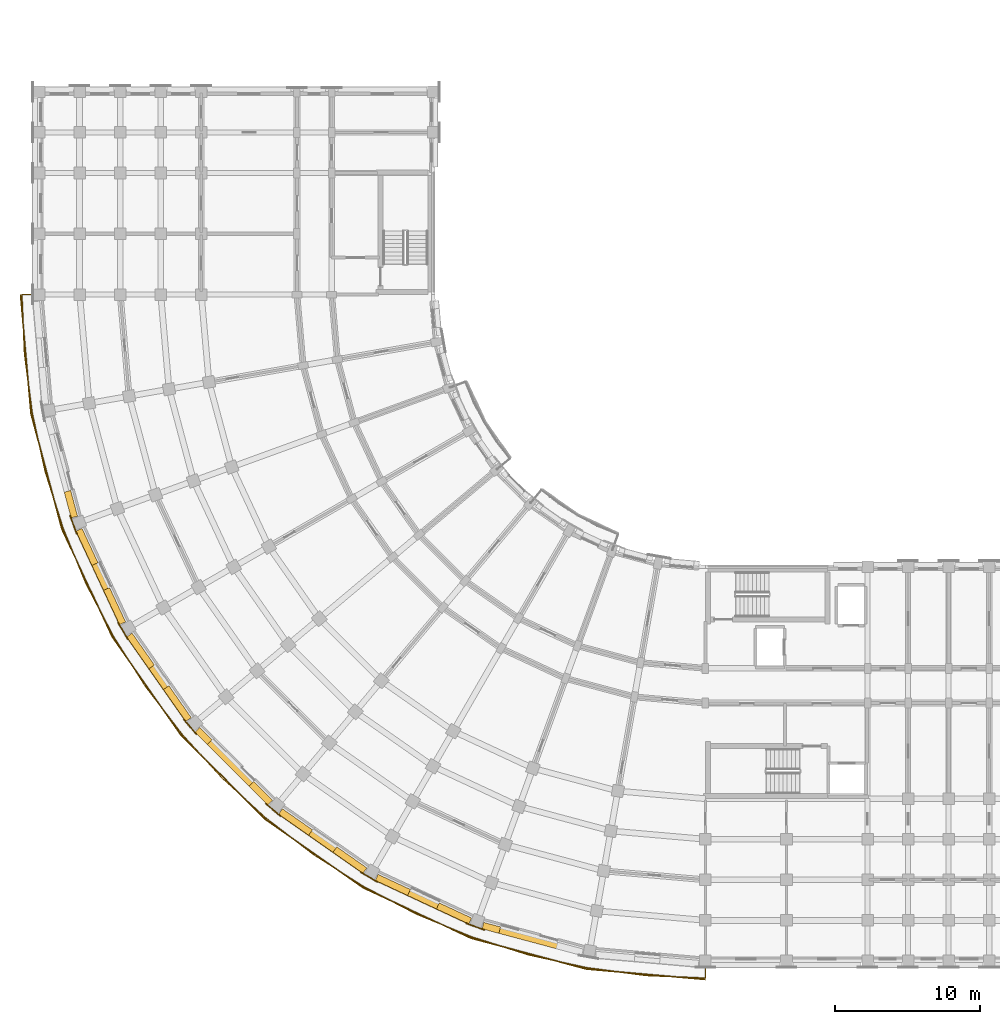
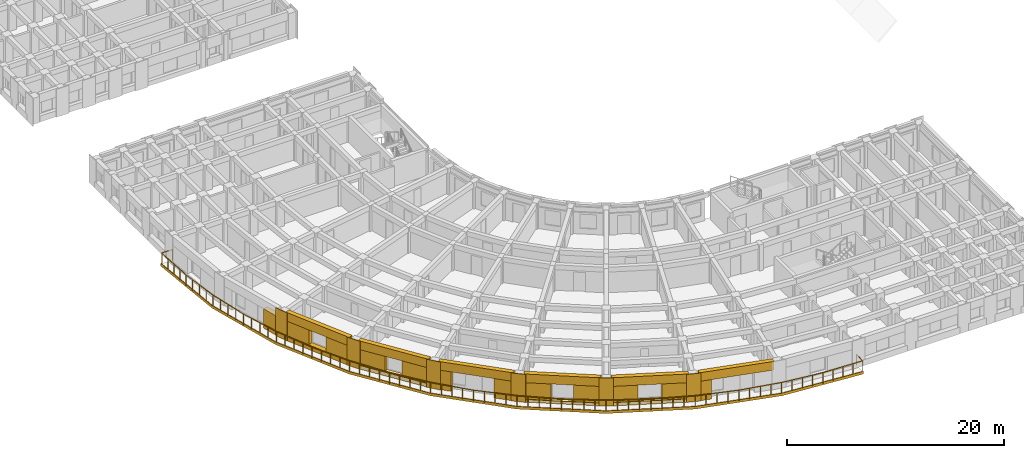
# One storey, part 38 of 54: 29 coverings, 1 railing.
"""IFC4 building model written with IfcOpenShell, lengths in metres."""

from ifc_helpers import new_model, si_unit, direction, frame, origin, origin_2d, place, context, subcontext, project, spatial, polyline, circle, outline, extrude, material, layer, layer_set, type_object, element, save


model = new_model("IFC4")

# Units and contexts
model_context = context("Model", 3, precision=1e-05, world=origin(), true_north=direction((0.0, 1.0)))
body_context = subcontext(model_context, "Body", "Model", "MODEL_VIEW")
ifc_project = project(units=[si_unit("LENGTHUNIT", "METRE"), si_unit("AREAUNIT", "SQUARE_METRE"), si_unit("VOLUMEUNIT", "CUBIC_METRE"), si_unit("PLANEANGLEUNIT", "RADIAN"), si_unit("MASSUNIT", "GRAM", prefix="KILO")], contexts=[model_context])

# Site, building, storey
site_placement = place(None, origin())
site = spatial("IfcSite", under=ifc_project, at=site_placement, CompositionType="ELEMENT")
building_placement = place(site_placement, origin())
building = spatial("IfcBuilding", under=site, at=building_placement, Name="Kiranvali Square Residences", CompositionType="ELEMENT")
storey_placement = place(building_placement, frame((0.0, 0.0, 11.85009765625)))
storey = spatial("IfcBuildingStorey", under=building, at=storey_placement, Name="L03", CompositionType="ELEMENT", Elevation=11.85009765625)

# Coverings
ifc_material_1 = material(Name="Carved Porbandar limestone classical entablature and cornice", Category="masonry")
ifc_layer_1 = layer(ifc_material_1, 0.072021484375)
ifc_layer_set_1 = layer_set([ifc_layer_1], Name="Carved Porbandar limestone classical entablature and cornice")
covering_type_1 = type_object("IfcCoveringType", Name="COV-CLAD-BAL", PredefinedType="CLADDING", material=ifc_layer_set_1)
covering_1_placement = place(storey_placement, frame((0.0, 0.0, -0.239990234375)))
element("IfcCovering", 1, at=covering_1_placement, inside=storey, type_object=covering_type_1, Name="Block C L03 continuous curved limestone balcony fascia", PredefinedType="CLADDING", context=body_context, shape_type="SweptSolid", body=[
    extrude(outline(polyline([(48.199951171875, 0.947998046875), (39.994873046875, 1.665771484375), (32.038818359375, 3.797607421875), (24.573974609375, 7.278564453125), (17.826904296875, 12.0029296875), (12.0029296875, 17.826904296875), (7.278564453125, 24.573974609375), (3.797607421875, 32.038818359375), (1.665771484375, 39.994873046875), (0.947998046875, 48.199951171875), (0.882080078125, 48.199951171875), (1.600830078125, 39.9833984375), (3.735595703125, 32.016357421875), (7.221435546875, 24.541015625), (11.952392578125, 17.78466796875), (17.78466796875, 11.952392578125), (24.541015625, 7.221435546875), (32.016357421875, 3.735595703125), (39.9833984375, 1.600830078125), (48.199951171875, 0.882080078125), (48.199951171875, 0.947998046875)])), origin(), (0.0, 0.0, 1.0), 0.2998046875),
])
ifc_material_2 = material(Name="Honed Porbandar limestone ashlar facade cladding", Category="masonry")
ifc_layer_2 = layer(ifc_material_2, 0.3798828125)
ifc_layer_set_2 = layer_set([ifc_layer_2], Name="Honed Porbandar limestone ashlar facade cladding")
covering_type_2 = type_object("IfcCoveringType", Name="COV-CLAD-JAMB", PredefinedType="CLADDING", material=ifc_layer_set_2)
covering_2_placement = place(storey_placement, origin())
element("IfcCovering", 2, at=covering_2_placement, inside=storey, type_object=covering_type_2, Name="L03 deep limestone window jamb reveal C-L03-CRV-01.R", PredefinedType="CLADDING", context=body_context, shape_type="SweptSolid", body=[
    extrude(outline(polyline([(34.0615234375, 4.54638671875), (32.901611328125, 4.857177734375), (32.78271484375, 4.413330078125), (33.942626953125, 4.1025390625), (34.0615234375, 4.54638671875)])), origin(), (0.0, 0.0, 1.0), 2.179931640625),
])
covering_3_placement = place(storey_placement, frame((0.0, 0.0, 0.371826171875)))
element("IfcCovering", 3, at=covering_3_placement, inside=storey, type_object=covering_type_2, Name="L03 deep limestone window jamb reveal C-L03-CRV-02.L", PredefinedType="CLADDING", context=body_context, shape_type="SweptSolid", body=[
    extrude(outline(polyline([(32.05908203125, 5.163818359375), (29.830322265625, 6.203125), (29.635986328125, 5.78662109375), (31.86474609375, 4.747314453125), (32.05908203125, 5.163818359375)])), origin(), (0.0, 0.0, 1.0), 1.800048828125),
])
covering_4_placement = place(storey_placement, frame((0.0, 0.0, 0.371826171875)))
element("IfcCovering", 4, at=covering_4_placement, inside=storey, type_object=covering_type_2, Name="L03 deep limestone window jamb reveal C-L03-CRV-02.R", PredefinedType="CLADDING", context=body_context, shape_type="SweptSolid", body=[
    extrude(outline(polyline([(27.83642578125, 7.1328125), (25.607666015625, 8.172119140625), (25.413330078125, 7.755859375), (27.64208984375, 6.716552734375), (27.83642578125, 7.1328125)])), origin(), (0.0, 0.0, 1.0), 1.800048828125),
])
covering_5_placement = place(storey_placement, frame((0.0, 0.0, 0.322021484375)))
element("IfcCovering", 5, at=covering_5_placement, inside=storey, type_object=covering_type_2, Name="L03 deep limestone window jamb reveal C-L03-CRV-03.L", PredefinedType="CLADDING", context=body_context, shape_type="SweptSolid", body=[
    extrude(outline(polyline([(24.8310546875, 8.62060546875), (22.755126953125, 10.073974609375), (22.49169921875, 9.69775390625), (24.567626953125, 8.244140625), (24.8310546875, 8.62060546875)])), origin(), (0.0, 0.0, 1.0), 1.849853515625),
])
covering_6_placement = place(storey_placement, frame((0.0, 0.0, 0.322021484375)))
element("IfcCovering", 6, at=covering_6_placement, inside=storey, type_object=covering_type_2, Name="L03 deep limestone window jamb reveal C-L03-CRV-03.R", PredefinedType="CLADDING", context=body_context, shape_type="SweptSolid", body=[
    extrude(outline(polyline([(21.075927734375, 11.25), (19.0, 12.703369140625), (18.736572265625, 12.3271484375), (20.8125, 10.87353515625), (21.075927734375, 11.25)])), origin(), (0.0, 0.0, 1.0), 1.849853515625),
])
covering_7_placement = place(storey_placement, origin())
element("IfcCovering", 7, at=covering_7_placement, inside=storey, type_object=covering_type_2, Name="L03 deep limestone window jamb reveal C-L03-CRV-04.L", PredefinedType="CLADDING", context=body_context, shape_type="SweptSolid", body=[
    extrude(outline(polyline([(18.313232421875, 13.27978515625), (17.01123046875, 14.581787109375), (16.686279296875, 14.257080078125), (17.98828125, 12.954833984375), (18.313232421875, 13.27978515625)])), origin(), (0.0, 0.0, 1.0), 2.179931640625),
])
covering_8_placement = place(storey_placement, origin())
element("IfcCovering", 8, at=covering_8_placement, inside=storey, type_object=covering_type_2, Name="L03 deep limestone window jamb reveal C-L03-CRV-04.R", PredefinedType="CLADDING", context=body_context, shape_type="SweptSolid", body=[
    extrude(outline(polyline([(14.12890625, 17.464111328125), (13.27978515625, 18.313232421875), (12.954833984375, 17.98828125), (13.803955078125, 17.13916015625), (14.12890625, 17.464111328125)])), origin(), (0.0, 0.0, 1.0), 2.179931640625),
])
covering_9_placement = place(storey_placement, frame((0.0, 0.0, 0.421875)))
element("IfcCovering", 9, at=covering_9_placement, inside=storey, type_object=covering_type_2, Name="L03 deep limestone window jamb reveal C-L03-CRV-05.L", PredefinedType="CLADDING", context=body_context, shape_type="SweptSolid", body=[
    extrude(outline(polyline([(12.703369140625, 19.0), (11.163818359375, 21.19873046875), (10.787353515625, 20.935302734375), (12.3271484375, 18.736572265625), (12.703369140625, 19.0)])), origin(), (0.0, 0.0, 1.0), 1.75),
])
covering_10_placement = place(storey_placement, frame((0.0, 0.0, 0.421875)))
element("IfcCovering", 10, at=covering_10_placement, inside=storey, type_object=covering_type_2, Name="L03 deep limestone window jamb reveal C-L03-CRV-05.R", PredefinedType="CLADDING", context=body_context, shape_type="SweptSolid", body=[
    extrude(outline(polyline([(10.16015625, 22.63232421875), (8.62060546875, 24.8310546875), (8.244140625, 24.567626953125), (9.78369140625, 22.368896484375), (10.16015625, 22.63232421875)])), origin(), (0.0, 0.0, 1.0), 1.75),
])
covering_11_placement = place(storey_placement, frame((0.0, 0.0, 0.52197265625)))
element("IfcCovering", 11, at=covering_11_placement, inside=storey, type_object=covering_type_2, Name="L03 deep limestone window jamb reveal C-L03-CRV-06.L", PredefinedType="CLADDING", context=body_context, shape_type="SweptSolid", body=[
    extrude(outline(polyline([(8.172119140625, 25.607666015625), (7.069580078125, 27.972412109375), (6.653076171875, 27.778076171875), (7.755859375, 25.413330078125), (8.172119140625, 25.607666015625)])), origin(), (0.0, 0.0, 1.0), 1.64990234375),
])
covering_12_placement = place(storey_placement, frame((0.0, 0.0, 0.52197265625)))
element("IfcCovering", 12, at=covering_12_placement, inside=storey, type_object=covering_type_2, Name="L03 deep limestone window jamb reveal C-L03-CRV-06.R", PredefinedType="CLADDING", context=body_context, shape_type="SweptSolid", body=[
    extrude(outline(polyline([(6.2666015625, 29.6943359375), (5.163818359375, 32.05908203125), (4.747314453125, 31.86474609375), (5.85009765625, 29.5), (6.2666015625, 29.6943359375)])), origin(), (0.0, 0.0, 1.0), 1.64990234375),
])
covering_13_placement = place(storey_placement, origin())
element("IfcCovering", 13, at=covering_13_placement, inside=storey, type_object=covering_type_2, Name="L03 deep limestone window jamb reveal C-L03-CRV-07.L", PredefinedType="CLADDING", context=body_context, shape_type="SweptSolid", body=[
    extrude(outline(polyline([(4.857177734375, 32.901611328125), (4.380615234375, 34.68017578125), (3.936767578125, 34.561279296875), (4.413330078125, 32.78271484375), (4.857177734375, 32.901611328125)])), origin(), (0.0, 0.0, 1.0), 2.179931640625),
])
ifc_layer_3 = layer(ifc_material_2, 0.06494140625)
ifc_layer_set_3 = layer_set([ifc_layer_3], Name="Honed Porbandar limestone ashlar facade cladding")
covering_type_3 = type_object("IfcCoveringType", Name="COV-CLAD-PIER", PredefinedType="CLADDING", material=ifc_layer_set_3)
covering_14_placement = place(storey_placement, frame((0.0, 0.0, 0.0048828125)))
element("IfcCovering", 14, at=covering_14_placement, inside=storey, type_object=covering_type_3, Name="L03 Classical limestone corner pilaster CLAD-PR-C-L03-A02", PredefinedType="CLADDING", context=body_context, shape_type="SweptSolid", body=[
    extrude(outline(polyline([(31.66796875, 4.766845703125), (32.946044921875, 4.3017578125), (32.968994140625, 4.365234375), (31.691162109375, 4.830322265625), (31.66796875, 4.766845703125)])), origin(), (0.0, 0.0, 1.0), 3.14013671875),
])
covering_15_placement = place(storey_placement, frame((0.0, 0.0, 0.0048828125)))
element("IfcCovering", 15, at=covering_15_placement, inside=storey, type_object=covering_type_3, Name="L03 Classical limestone corner pilaster CLAD-PR-C-L03-A03", PredefinedType="CLADDING", context=body_context, shape_type="SweptSolid", body=[
    extrude(outline(polyline([(24.377197265625, 8.297607421875), (25.554931640625, 7.617431640625), (25.588623046875, 7.676025390625), (24.410888671875, 8.35595703125), (24.377197265625, 8.297607421875)])), origin(), (0.0, 0.0, 1.0), 3.14013671875),
])
covering_16_placement = place(storey_placement, frame((0.0, 0.0, 0.0048828125)))
element("IfcCovering", 16, at=covering_16_placement, inside=storey, type_object=covering_type_3, Name="L03 Classical limestone corner pilaster CLAD-PR-C-L03-A04", PredefinedType="CLADDING", context=body_context, shape_type="SweptSolid", body=[
    extrude(outline(polyline([(17.81005859375, 13.04052734375), (18.851806640625, 12.166259765625), (18.895263671875, 12.218017578125), (17.853515625, 13.09228515625), (17.81005859375, 13.04052734375)])), origin(), (0.0, 0.0, 1.0), 3.14013671875),
])
covering_17_placement = place(storey_placement, frame((0.0, 0.0, 0.0048828125)))
element("IfcCovering", 17, at=covering_17_placement, inside=storey, type_object=covering_type_3, Name="L03 Classical limestone corner pilaster CLAD-PR-C-L03-A05", PredefinedType="CLADDING", context=body_context, shape_type="SweptSolid", body=[
    extrude(outline(polyline([(12.166259765625, 18.851806640625), (13.04052734375, 17.81005859375), (13.09228515625, 17.853515625), (12.218017578125, 18.895263671875), (12.166259765625, 18.851806640625)])), origin(), (0.0, 0.0, 1.0), 3.14013671875),
])
covering_18_placement = place(storey_placement, frame((0.0, 0.0, 0.0048828125)))
element("IfcCovering", 18, at=covering_18_placement, inside=storey, type_object=covering_type_3, Name="L03 Classical limestone corner pilaster CLAD-PR-C-L03-A06", PredefinedType="CLADDING", context=body_context, shape_type="SweptSolid", body=[
    extrude(outline(polyline([(7.617431640625, 25.554931640625), (8.297607421875, 24.377197265625), (8.35595703125, 24.410888671875), (7.676025390625, 25.588623046875), (7.617431640625, 25.554931640625)])), origin(), (0.0, 0.0, 1.0), 3.14013671875),
])
covering_19_placement = place(storey_placement, frame((0.0, 0.0, 0.0048828125)))
element("IfcCovering", 19, at=covering_19_placement, inside=storey, type_object=covering_type_3, Name="L03 Classical limestone corner pilaster CLAD-PR-C-L03-A07", PredefinedType="CLADDING", context=body_context, shape_type="SweptSolid", body=[
    extrude(outline(polyline([(4.3017578125, 32.946044921875), (4.766845703125, 31.66796875), (4.830322265625, 31.691162109375), (4.365234375, 32.968994140625), (4.3017578125, 32.946044921875)])), origin(), (0.0, 0.0, 1.0), 3.14013671875),
])
ifc_layer_4 = layer(ifc_material_2, 0.360107421875)
ifc_layer_set_4 = layer_set([ifc_layer_4], Name="Honed Porbandar limestone ashlar facade cladding")
covering_type_4 = type_object("IfcCoveringType", Name="COV-CLAD-WALL", PredefinedType="CLADDING", material=ifc_layer_set_4)
covering_20_placement = place(storey_placement, frame((0.0, 0.0, 2.179931640625)))
element("IfcCovering", 20, at=covering_20_placement, inside=storey, type_object=covering_type_4, Name="L03 light limestone spandrel lintel C-L03-CRV-01", PredefinedType="CLADDING", context=body_context, shape_type="SweptSolid", body=[
    extrude(outline(polyline([(39.77734375, 3.014892578125), (32.901611328125, 4.857177734375), (32.78271484375, 4.413330078125), (39.658447265625, 2.571044921875), (39.77734375, 3.014892578125)])), origin(), (0.0, 0.0, 1.0), 0.965087890625),
])
covering_21_placement = place(storey_placement, frame((0.0, 0.0, 2.171875)))
element("IfcCovering", 21, at=covering_21_placement, inside=storey, type_object=covering_type_4, Name="L03 light limestone spandrel lintel C-L03-CRV-02", PredefinedType="CLADDING", context=body_context, shape_type="SweptSolid", body=[
    extrude(outline(polyline([(32.05908203125, 5.163818359375), (25.607666015625, 8.172119140625), (25.413330078125, 7.755859375), (31.86474609375, 4.747314453125), (32.05908203125, 5.163818359375)])), origin(), (0.0, 0.0, 1.0), 0.97314453125),
])
covering_22_placement = place(storey_placement, frame((0.0, 0.0, 0.0048828125)))
element("IfcCovering", 22, at=covering_22_placement, inside=storey, type_object=covering_type_4, Name="L03 limestone window sill apron C-L03-CRV-02", PredefinedType="CLADDING", context=body_context, shape_type="SweptSolid", body=[
    extrude(outline(polyline([(32.05908203125, 5.163818359375), (25.607666015625, 8.172119140625), (25.40087890625, 7.728515625), (31.85205078125, 4.72021484375), (32.05908203125, 5.163818359375)])), origin(), (0.0, 0.0, 1.0), 0.366943359375),
])
covering_23_placement = place(storey_placement, frame((0.0, 0.0, 2.171875)))
element("IfcCovering", 23, at=covering_23_placement, inside=storey, type_object=covering_type_4, Name="L03 light limestone spandrel lintel C-L03-CRV-03", PredefinedType="CLADDING", context=body_context, shape_type="SweptSolid", body=[
    extrude(outline(polyline([(24.8310546875, 8.62060546875), (19.0, 12.703369140625), (18.736572265625, 12.3271484375), (24.567626953125, 8.244140625), (24.8310546875, 8.62060546875)])), origin(), (0.0, 0.0, 1.0), 0.97314453125),
])
covering_24_placement = place(storey_placement, frame((0.0, 0.0, 0.0048828125)))
element("IfcCovering", 24, at=covering_24_placement, inside=storey, type_object=covering_type_4, Name="L03 limestone window sill apron C-L03-CRV-03", PredefinedType="CLADDING", context=body_context, shape_type="SweptSolid", body=[
    extrude(outline(polyline([(24.8310546875, 8.62060546875), (19.0, 12.703369140625), (18.71923828125, 12.302490234375), (24.55029296875, 8.219482421875), (24.8310546875, 8.62060546875)])), origin(), (0.0, 0.0, 1.0), 0.317138671875),
])
covering_25_placement = place(storey_placement, frame((0.0, 0.0, 2.179931640625)))
element("IfcCovering", 25, at=covering_25_placement, inside=storey, type_object=covering_type_4, Name="L03 light limestone spandrel lintel C-L03-CRV-04", PredefinedType="CLADDING", context=body_context, shape_type="SweptSolid", body=[
    extrude(outline(polyline([(18.313232421875, 13.27978515625), (13.27978515625, 18.313232421875), (12.954833984375, 17.98828125), (17.98828125, 12.954833984375), (18.313232421875, 13.27978515625)])), origin(), (0.0, 0.0, 1.0), 0.965087890625),
])
covering_26_placement = place(storey_placement, frame((0.0, 0.0, 2.171875)))
element("IfcCovering", 26, at=covering_26_placement, inside=storey, type_object=covering_type_4, Name="L03 light limestone spandrel lintel C-L03-CRV-05", PredefinedType="CLADDING", context=body_context, shape_type="SweptSolid", body=[
    extrude(outline(polyline([(12.703369140625, 19.0), (8.62060546875, 24.8310546875), (8.244140625, 24.567626953125), (12.3271484375, 18.736572265625), (12.703369140625, 19.0)])), origin(), (0.0, 0.0, 1.0), 0.97314453125),
])
covering_27_placement = place(storey_placement, frame((0.0, 0.0, 0.0048828125)))
element("IfcCovering", 27, at=covering_27_placement, inside=storey, type_object=covering_type_4, Name="L03 limestone window sill apron C-L03-CRV-05", PredefinedType="CLADDING", context=body_context, shape_type="SweptSolid", body=[
    extrude(outline(polyline([(12.703369140625, 19.0), (8.62060546875, 24.8310546875), (8.219482421875, 24.55029296875), (12.302490234375, 18.71923828125), (12.703369140625, 19.0)])), origin(), (0.0, 0.0, 1.0), 0.4169921875),
])
covering_28_placement = place(storey_placement, frame((0.0, 0.0, 2.171875)))
element("IfcCovering", 28, at=covering_28_placement, inside=storey, type_object=covering_type_4, Name="L03 light limestone spandrel lintel C-L03-CRV-06", PredefinedType="CLADDING", context=body_context, shape_type="SweptSolid", body=[
    extrude(outline(polyline([(8.172119140625, 25.607666015625), (5.163818359375, 32.05908203125), (4.747314453125, 31.86474609375), (7.755859375, 25.413330078125), (8.172119140625, 25.607666015625)])), origin(), (0.0, 0.0, 1.0), 0.97314453125),
])
covering_29_placement = place(storey_placement, frame((0.0, 0.0, 0.0048828125)))
element("IfcCovering", 29, at=covering_29_placement, inside=storey, type_object=covering_type_4, Name="L03 limestone window sill apron C-L03-CRV-06", PredefinedType="CLADDING", context=body_context, shape_type="SweptSolid", body=[
    extrude(outline(polyline([(8.172119140625, 25.607666015625), (5.163818359375, 32.05908203125), (4.72021484375, 31.85205078125), (7.728515625, 25.40087890625), (8.172119140625, 25.607666015625)])), origin(), (0.0, 0.0, 1.0), 0.51708984375),
])

# Railing
ifc_material_3 = material(Name="Powder-coated architectural bronze balustrade", Category="steel")
railing_type = type_object("IfcRailingType", Name="RL-BAL-GOLD-1200", PredefinedType="BALUSTRADE", material=ifc_material_3)
railing_placement = place(storey_placement, frame((48.199951171875, 2.159912109375, 0.0)))
element("IfcRailing", 30, at=railing_placement, inside=storey, type_object=railing_type, Name="Block C L03 continuous curved corner gold balustrade", PredefinedType="BALUSTRADE", context=body_context, shape_type="SweptSolid", body=[
    extrude(circle(Radius=0.02392578125, at=origin_2d()), frame((0.0, 0.0, 1.17578125), z_axis=(0.0, -1.0, 0.0), x_axis=(1.0, 0.0, 0.0)), (0.0, 0.0, 1.0), 1.14990234375),
    extrude(circle(Radius=0.02392578125, at=origin_2d()), frame((0.0, -1.14990234375, 1.17578125), z_axis=(-0.999049544955, 0.043589066576, 0.0), x_axis=(-0.043589066576, -0.999049544955, 0.0)), (0.0, 0.0, 1.0), 4.11669921875),
    extrude(circle(Radius=0.02392578125, at=origin_2d()), frame((-4.11279296875, -0.970458984375, 1.17578125), z_axis=(-0.991444603928, 0.1305281477, 0.0), x_axis=(-0.1305281477, -0.991444603928, 0.0)), (0.0, 0.0, 1.0), 4.11669921875),
    extrude(circle(Radius=0.02392578125, at=origin_2d()), frame((-8.1943359375, -0.43310546875, 1.17578125), z_axis=(-0.976292989924, 0.216453223181, 0.0), x_axis=(-0.216453223181, -0.976292989924, 0.0)), (0.0, 0.0, 1.0), 4.116943359375),
    extrude(circle(Radius=0.02392578125, at=origin_2d()), frame((-12.213623046875, 0.4580078125, 1.17578125), z_axis=(-0.953710744932, 0.300725481131, 0.0), x_axis=(-0.300725481131, -0.953710744932, 0.0)), (0.0, 0.0, 1.0), 4.116943359375),
    extrude(circle(Radius=0.02392578125, at=origin_2d()), frame((-16.139892578125, 1.696044921875, 1.17578125), z_axis=(-0.923880226262, 0.382681757498, 0.0), x_axis=(-0.382681757498, -0.923880226262, 0.0)), (0.0, 0.0, 1.0), 4.116943359375),
    extrude(circle(Radius=0.02392578125, at=origin_2d()), frame((-19.943359375, 3.271484375, 1.17578125), z_axis=(-0.887013781313, 0.461742949877, 0.0), x_axis=(-0.461742949877, -0.887013781313, 0.0)), (0.0, 0.0, 1.0), 4.11669921875),
    extrude(circle(Radius=0.02392578125, at=origin_2d()), frame((-23.594970703125, 5.17236328125, 1.17578125), z_axis=(-0.843402550976, 0.537282176335, 0.0), x_axis=(-0.537282176335, -0.843402550976, 0.0)), (0.0, 0.0, 1.0), 4.116943359375),
    extrude(circle(Radius=0.02392578125, at=origin_2d()), frame((-27.067138671875, 7.38427734375, 1.17578125), z_axis=(-0.793339967331, 0.608778856594, 0.0), x_axis=(-0.608778856594, -0.793339967331, 0.0)), (0.0, 0.0, 1.0), 4.11669921875),
    extrude(circle(Radius=0.02392578125, at=origin_2d()), frame((-30.3330078125, 9.890380859375, 1.17578125), z_axis=(-0.737299356654, 0.675566176386, 0.0), x_axis=(-0.675566176386, -0.737299356654, 0.0)), (0.0, 0.0, 1.0), 4.116943359375),
    extrude(circle(Radius=0.02392578125, at=origin_2d()), frame((-33.368408203125, 12.671630859375, 1.17578125), z_axis=(-0.675566176386, 0.737299356654, 0.0), x_axis=(-0.737299356654, -0.675566176386, 0.0)), (0.0, 0.0, 1.0), 4.116943359375),
    extrude(circle(Radius=0.02392578125, at=origin_2d()), frame((-36.149658203125, 15.70703125, 1.17578125), z_axis=(-0.608778856594, 0.793339967331, 0.0), x_axis=(-0.793339967331, -0.608778856594, 0.0)), (0.0, 0.0, 1.0), 4.11669921875),
    extrude(circle(Radius=0.02392578125, at=origin_2d()), frame((-38.65576171875, 18.972900390625, 1.17578125), z_axis=(-0.537282176335, 0.843402550976, 0.0), x_axis=(-0.843402550976, -0.537282176335, 0.0)), (0.0, 0.0, 1.0), 4.116943359375),
    extrude(circle(Radius=0.02392578125, at=origin_2d()), frame((-40.86767578125, 22.445068359375, 1.17578125), z_axis=(-0.461742949877, 0.887013781313, 0.0), x_axis=(-0.887013781313, -0.461742949877, 0.0)), (0.0, 0.0, 1.0), 4.11669921875),
    extrude(circle(Radius=0.02392578125, at=origin_2d()), frame((-42.7685546875, 26.0966796875, 1.17578125), z_axis=(-0.382681757498, 0.923880226262, 0.0), x_axis=(-0.923880226262, -0.382681757498, 0.0)), (0.0, 0.0, 1.0), 4.116943359375),
    extrude(circle(Radius=0.02392578125, at=origin_2d()), frame((-44.343994140625, 29.900146484375, 1.17578125), z_axis=(-0.300725481131, 0.953710744932, 0.0), x_axis=(-0.953710744932, -0.300725481131, 0.0)), (0.0, 0.0, 1.0), 4.116943359375),
    extrude(circle(Radius=0.02392578125, at=origin_2d()), frame((-45.58203125, 33.826416015625, 1.17578125), z_axis=(-0.216453223181, 0.976292989924, 0.0), x_axis=(-0.976292989924, -0.216453223181, 0.0)), (0.0, 0.0, 1.0), 4.116943359375),
    extrude(circle(Radius=0.02392578125, at=origin_2d()), frame((-46.47314453125, 37.845703125, 1.17578125), z_axis=(-0.1305281477, 0.991444603928, 0.0), x_axis=(-0.991444603928, -0.1305281477, 0.0)), (0.0, 0.0, 1.0), 4.11669921875),
    extrude(circle(Radius=0.02392578125, at=origin_2d()), frame((-47.010498046875, 41.92724609375, 1.17578125), z_axis=(-0.043589066576, 0.999049544955, 0.0), x_axis=(-0.999049544955, -0.043589066576, 0.0)), (0.0, 0.0, 1.0), 4.11669921875),
    extrude(circle(Radius=0.02392578125, at=origin_2d()), frame((-47.18994140625, 46.0400390625, 1.17578125), z_axis=(1.0, 0.0, 0.0), x_axis=(0.0, 1.0, 0.0)), (0.0, 0.0, 1.0), 1.14990234375),
    extrude(circle(Radius=0.02099609375, at=origin_2d()), origin(), (0.0, 0.0, 1.0), 1.15185546875),
    extrude(circle(Radius=0.02099609375, at=origin_2d()), frame((0.0, -1.14990234375, 0.0)), (0.0, 0.0, 1.0), 1.15185546875),
    extrude(circle(Radius=0.02099609375, at=origin_2d()), frame((-1.0283203125, -1.10498046875, 0.0)), (0.0, 0.0, 1.0), 1.15185546875),
    extrude(circle(Radius=0.02099609375, at=origin_2d()), frame((-2.056396484375, -1.06005859375, 0.0)), (0.0, 0.0, 1.0), 1.15185546875),
    extrude(circle(Radius=0.02099609375, at=origin_2d()), frame((-3.08447265625, -1.015380859375, 0.0)), (0.0, 0.0, 1.0), 1.15185546875),
    extrude(circle(Radius=0.02099609375, at=origin_2d()), frame((-4.11279296875, -0.970458984375, 0.0)), (0.0, 0.0, 1.0), 1.15185546875),
    extrude(circle(Radius=0.02099609375, at=origin_2d()), frame((-5.13330078125, -0.836181640625, 0.0)), (0.0, 0.0, 1.0), 1.15185546875),
    extrude(circle(Radius=0.02099609375, at=origin_2d()), frame((-6.153564453125, -0.70166015625, 0.0)), (0.0, 0.0, 1.0), 1.15185546875),
    extrude(circle(Radius=0.02099609375, at=origin_2d()), frame((-7.173828125, -0.5673828125, 0.0)), (0.0, 0.0, 1.0), 1.15185546875),
    extrude(circle(Radius=0.02099609375, at=origin_2d()), frame((-8.1943359375, -0.43310546875, 0.0)), (0.0, 0.0, 1.0), 1.15185546875),
    extrude(circle(Radius=0.02099609375, at=origin_2d()), frame((-9.19921875, -0.21044921875, 0.0)), (0.0, 0.0, 1.0), 1.15185546875),
    extrude(circle(Radius=0.02099609375, at=origin_2d()), frame((-10.2041015625, 0.012451171875, 0.0)), (0.0, 0.0, 1.0), 1.15185546875),
    extrude(circle(Radius=0.02099609375, at=origin_2d()), frame((-11.208740234375, 0.2353515625, 0.0)), (0.0, 0.0, 1.0), 1.15185546875),
    extrude(circle(Radius=0.02099609375, at=origin_2d()), frame((-12.213623046875, 0.4580078125, 0.0)), (0.0, 0.0, 1.0), 1.15185546875),
    extrude(circle(Radius=0.02099609375, at=origin_2d()), frame((-13.1953125, 0.767578125, 0.0)), (0.0, 0.0, 1.0), 1.15185546875),
    extrude(circle(Radius=0.02099609375, at=origin_2d()), frame((-14.1767578125, 1.0771484375, 0.0)), (0.0, 0.0, 1.0), 1.15185546875),
    extrude(circle(Radius=0.02099609375, at=origin_2d()), frame((-15.158203125, 1.386474609375, 0.0)), (0.0, 0.0, 1.0), 1.15185546875),
    extrude(circle(Radius=0.02099609375, at=origin_2d()), frame((-16.139892578125, 1.696044921875, 0.0)), (0.0, 0.0, 1.0), 1.15185546875),
    extrude(circle(Radius=0.02099609375, at=origin_2d()), frame((-17.0908203125, 2.08984375, 0.0)), (0.0, 0.0, 1.0), 1.15185546875),
    extrude(circle(Radius=0.02099609375, at=origin_2d()), frame((-18.04150390625, 2.48388671875, 0.0)), (0.0, 0.0, 1.0), 1.15185546875),
    extrude(circle(Radius=0.02099609375, at=origin_2d()), frame((-18.992431640625, 2.877685546875, 0.0)), (0.0, 0.0, 1.0), 1.15185546875),
    extrude(circle(Radius=0.02099609375, at=origin_2d()), frame((-19.943359375, 3.271484375, 0.0)), (0.0, 0.0, 1.0), 1.15185546875),
    extrude(circle(Radius=0.02099609375, at=origin_2d()), frame((-20.856201171875, 3.74658203125, 0.0)), (0.0, 0.0, 1.0), 1.15185546875),
    extrude(circle(Radius=0.02099609375, at=origin_2d()), frame((-21.76904296875, 4.221923828125, 0.0)), (0.0, 0.0, 1.0), 1.15185546875),
    extrude(circle(Radius=0.02099609375, at=origin_2d()), frame((-22.68212890625, 4.697265625, 0.0)), (0.0, 0.0, 1.0), 1.15185546875),
    extrude(circle(Radius=0.02099609375, at=origin_2d()), frame((-23.594970703125, 5.17236328125, 0.0)), (0.0, 0.0, 1.0), 1.15185546875),
    extrude(circle(Radius=0.02099609375, at=origin_2d()), frame((-24.462890625, 5.725341796875, 0.0)), (0.0, 0.0, 1.0), 1.15185546875),
    extrude(circle(Radius=0.02099609375, at=origin_2d()), frame((-25.3310546875, 6.2783203125, 0.0)), (0.0, 0.0, 1.0), 1.15185546875),
    extrude(circle(Radius=0.02099609375, at=origin_2d()), frame((-26.19921875, 6.831298828125, 0.0)), (0.0, 0.0, 1.0), 1.15185546875),
    extrude(circle(Radius=0.02099609375, at=origin_2d()), frame((-27.067138671875, 7.38427734375, 0.0)), (0.0, 0.0, 1.0), 1.15185546875),
    extrude(circle(Radius=0.02099609375, at=origin_2d()), frame((-27.883544921875, 8.0107421875, 0.0)), (0.0, 0.0, 1.0), 1.15185546875),
    extrude(circle(Radius=0.02099609375, at=origin_2d()), frame((-28.7001953125, 8.63720703125, 0.0)), (0.0, 0.0, 1.0), 1.15185546875),
    extrude(circle(Radius=0.02099609375, at=origin_2d()), frame((-29.5166015625, 9.263916015625, 0.0)), (0.0, 0.0, 1.0), 1.15185546875),
    extrude(circle(Radius=0.02099609375, at=origin_2d()), frame((-30.3330078125, 9.890380859375, 0.0)), (0.0, 0.0, 1.0), 1.15185546875),
    extrude(circle(Radius=0.02099609375, at=origin_2d()), frame((-31.091796875, 10.585693359375, 0.0)), (0.0, 0.0, 1.0), 1.15185546875),
    extrude(circle(Radius=0.02099609375, at=origin_2d()), frame((-31.8505859375, 11.281005859375, 0.0)), (0.0, 0.0, 1.0), 1.15185546875),
    extrude(circle(Radius=0.02099609375, at=origin_2d()), frame((-32.609619140625, 11.976318359375, 0.0)), (0.0, 0.0, 1.0), 1.15185546875),
    extrude(circle(Radius=0.02099609375, at=origin_2d()), frame((-33.368408203125, 12.671630859375, 0.0)), (0.0, 0.0, 1.0), 1.15185546875),
    extrude(circle(Radius=0.02099609375, at=origin_2d()), frame((-34.063720703125, 13.430419921875, 0.0)), (0.0, 0.0, 1.0), 1.15185546875),
    extrude(circle(Radius=0.02099609375, at=origin_2d()), frame((-34.759033203125, 14.189453125, 0.0)), (0.0, 0.0, 1.0), 1.15185546875),
    extrude(circle(Radius=0.02099609375, at=origin_2d()), frame((-35.454345703125, 14.9482421875, 0.0)), (0.0, 0.0, 1.0), 1.15185546875),
    extrude(circle(Radius=0.02099609375, at=origin_2d()), frame((-36.149658203125, 15.70703125, 0.0)), (0.0, 0.0, 1.0), 1.15185546875),
    extrude(circle(Radius=0.02099609375, at=origin_2d()), frame((-36.776123046875, 16.5234375, 0.0)), (0.0, 0.0, 1.0), 1.15185546875),
    extrude(circle(Radius=0.02099609375, at=origin_2d()), frame((-37.40283203125, 17.33984375, 0.0)), (0.0, 0.0, 1.0), 1.15185546875),
    extrude(circle(Radius=0.02099609375, at=origin_2d()), frame((-38.029296875, 18.156494140625, 0.0)), (0.0, 0.0, 1.0), 1.15185546875),
    extrude(circle(Radius=0.02099609375, at=origin_2d()), frame((-38.65576171875, 18.972900390625, 0.0)), (0.0, 0.0, 1.0), 1.15185546875),
    extrude(circle(Radius=0.02099609375, at=origin_2d()), frame((-39.208740234375, 19.8408203125, 0.0)), (0.0, 0.0, 1.0), 1.15185546875),
    extrude(circle(Radius=0.02099609375, at=origin_2d()), frame((-39.76171875, 20.708984375, 0.0)), (0.0, 0.0, 1.0), 1.15185546875),
    extrude(circle(Radius=0.02099609375, at=origin_2d()), frame((-40.314697265625, 21.5771484375, 0.0)), (0.0, 0.0, 1.0), 1.15185546875),
    extrude(circle(Radius=0.02099609375, at=origin_2d()), frame((-40.86767578125, 22.445068359375, 0.0)), (0.0, 0.0, 1.0), 1.15185546875),
    extrude(circle(Radius=0.02099609375, at=origin_2d()), frame((-41.3427734375, 23.35791015625, 0.0)), (0.0, 0.0, 1.0), 1.15185546875),
    extrude(circle(Radius=0.02099609375, at=origin_2d()), frame((-41.818115234375, 24.27099609375, 0.0)), (0.0, 0.0, 1.0), 1.15185546875),
    extrude(circle(Radius=0.02099609375, at=origin_2d()), frame((-42.29345703125, 25.183837890625, 0.0)), (0.0, 0.0, 1.0), 1.15185546875),
    extrude(circle(Radius=0.02099609375, at=origin_2d()), frame((-42.7685546875, 26.0966796875, 0.0)), (0.0, 0.0, 1.0), 1.15185546875),
    extrude(circle(Radius=0.02099609375, at=origin_2d()), frame((-43.162353515625, 27.047607421875, 0.0)), (0.0, 0.0, 1.0), 1.15185546875),
    extrude(circle(Radius=0.02099609375, at=origin_2d()), frame((-43.55615234375, 27.99853515625, 0.0)), (0.0, 0.0, 1.0), 1.15185546875),
    extrude(circle(Radius=0.02099609375, at=origin_2d()), frame((-43.9501953125, 28.94921875, 0.0)), (0.0, 0.0, 1.0), 1.15185546875),
    extrude(circle(Radius=0.02099609375, at=origin_2d()), frame((-44.343994140625, 29.900146484375, 0.0)), (0.0, 0.0, 1.0), 1.15185546875),
    extrude(circle(Radius=0.02099609375, at=origin_2d()), frame((-44.653564453125, 30.8818359375, 0.0)), (0.0, 0.0, 1.0), 1.15185546875),
    extrude(circle(Radius=0.02099609375, at=origin_2d()), frame((-44.962890625, 31.86328125, 0.0)), (0.0, 0.0, 1.0), 1.15185546875),
    extrude(circle(Radius=0.02099609375, at=origin_2d()), frame((-45.2724609375, 32.8447265625, 0.0)), (0.0, 0.0, 1.0), 1.15185546875),
    extrude(circle(Radius=0.02099609375, at=origin_2d()), frame((-45.58203125, 33.826416015625, 0.0)), (0.0, 0.0, 1.0), 1.15185546875),
    extrude(circle(Radius=0.02099609375, at=origin_2d()), frame((-45.8046875, 34.831298828125, 0.0)), (0.0, 0.0, 1.0), 1.15185546875),
    extrude(circle(Radius=0.02099609375, at=origin_2d()), frame((-46.027587890625, 35.8359375, 0.0)), (0.0, 0.0, 1.0), 1.15185546875),
    extrude(circle(Radius=0.02099609375, at=origin_2d()), frame((-46.25048828125, 36.8408203125, 0.0)), (0.0, 0.0, 1.0), 1.15185546875),
    extrude(circle(Radius=0.02099609375, at=origin_2d()), frame((-46.47314453125, 37.845703125, 0.0)), (0.0, 0.0, 1.0), 1.15185546875),
    extrude(circle(Radius=0.02099609375, at=origin_2d()), frame((-46.607421875, 38.8662109375, 0.0)), (0.0, 0.0, 1.0), 1.15185546875),
    extrude(circle(Radius=0.02099609375, at=origin_2d()), frame((-46.74169921875, 39.886474609375, 0.0)), (0.0, 0.0, 1.0), 1.15185546875),
    extrude(circle(Radius=0.02099609375, at=origin_2d()), frame((-46.876220703125, 40.90673828125, 0.0)), (0.0, 0.0, 1.0), 1.15185546875),
    extrude(circle(Radius=0.02099609375, at=origin_2d()), frame((-47.010498046875, 41.92724609375, 0.0)), (0.0, 0.0, 1.0), 1.15185546875),
    extrude(circle(Radius=0.02099609375, at=origin_2d()), frame((-47.055419921875, 42.95556640625, 0.0)), (0.0, 0.0, 1.0), 1.15185546875),
    extrude(circle(Radius=0.02099609375, at=origin_2d()), frame((-47.10009765625, 43.983642578125, 0.0)), (0.0, 0.0, 1.0), 1.15185546875),
    extrude(circle(Radius=0.02099609375, at=origin_2d()), frame((-47.14501953125, 45.01171875, 0.0)), (0.0, 0.0, 1.0), 1.15185546875),
    extrude(circle(Radius=0.02099609375, at=origin_2d()), frame((-47.18994140625, 46.0400390625, 0.0)), (0.0, 0.0, 1.0), 1.15185546875),
    extrude(circle(Radius=0.02099609375, at=origin_2d()), frame((-46.0400390625, 46.0400390625, 0.0)), (0.0, 0.0, 1.0), 1.15185546875),
])

save(model, "model.ifc")
